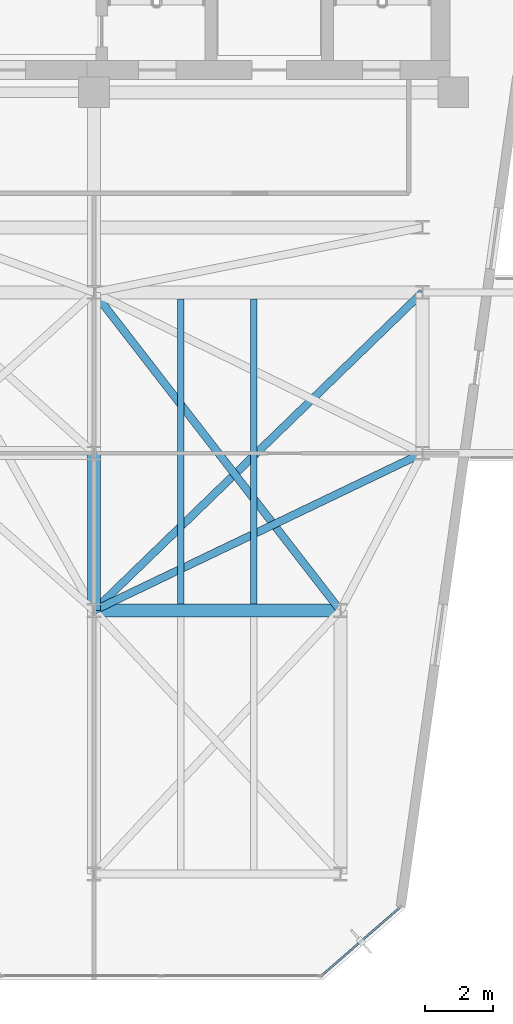
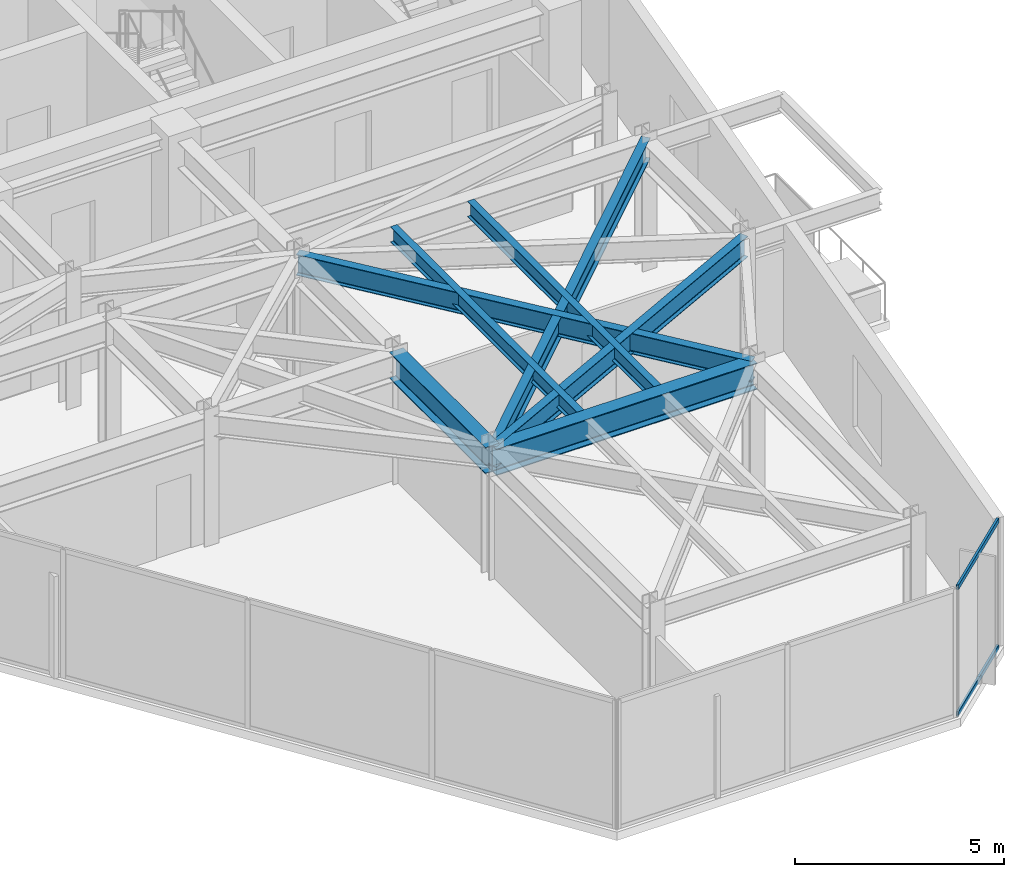
# One storey, part 19 of 26: 7 beams, 2 members, 1 element without a shape of its own.
"""IFC4 building model written with IfcOpenShell, lengths in metres."""

from ifc_helpers import new_model, si_unit, direction, frame, origin, origin_2d, place, context, subcontext, project, spatial, hollow_rectangle, i_section, extrude, material, layer, layer_set, material_profile, profile_set, type_object, element, aggregate, save


model = new_model("IFC4")

# Units and contexts
model_context = context("Model", 3, precision=1e-05, world=origin(), true_north=direction((0.0, 1.0)))
body_context = subcontext(model_context, "Body", "Model", "MODEL_VIEW")
ifc_project = project(units=[si_unit("LENGTHUNIT", "METRE"), si_unit("AREAUNIT", "SQUARE_METRE"), si_unit("VOLUMEUNIT", "CUBIC_METRE"), si_unit("PLANEANGLEUNIT", "RADIAN"), si_unit("MASSUNIT", "GRAM", prefix="KILO")], contexts=[model_context])

# Site, building, storey
site_placement = place(None, origin())
site = spatial("IfcSite", under=ifc_project, at=site_placement, CompositionType="ELEMENT")
building_placement = place(site_placement, origin())
building = spatial("IfcBuilding", under=site, at=building_placement, Name="Kravanh Interchange Tower", CompositionType="ELEMENT")
storey_placement = place(building_placement, frame((0.0, 0.0, 204.5)))
storey = spatial("IfcBuildingStorey", under=building, at=storey_placement, Name="L49", CompositionType="ELEMENT", Elevation=204.5)

# Curtain wall, members
ifc_material_1 = material(Name="Anodised Bronze Aluminium", Category="aluminium")
ifc_layer = layer(ifc_material_1, 0.179931640625)
ifc_layer_set = layer_set([ifc_layer], Name="Unitised Curtain Wall System CW-Z3 Upper Office")
curtain_wall_type = type_object("IfcCurtainWallType", Name="Unitised Curtain Wall System CW-Z3 Upper Office", PredefinedType="NOTDEFINED", material=ifc_layer_set)
curtain_wall_placement = place(storey_placement, origin())
curtain_wall = element("IfcCurtainWall", 1, at=curtain_wall_placement, inside=storey, type_object=curtain_wall_type, Name="L49 Unitised Curtain Wall CW-L49-02", PredefinedType="NOTDEFINED")
ifc_material_2 = material(Name="Anodised Bronze Aluminium", Category="aluminium")
ifc_material_profile_1 = material_profile(ifc_material_2, hollow_rectangle(XDim=0.06005859375, YDim=0.139892578125, WallThickness=0.00390625, at=origin_2d()), Name="ALU60X140X4")
ifc_profile_set_1 = profile_set([ifc_material_profile_1], Name="Anodised Bronze Aluminium")
member_type = type_object("IfcMemberType", Name="Curtain Wall Transom ALU60X140X4 Bronze", PredefinedType="USERDEFINED", material=ifc_profile_set_1)
member_1_placement = place(storey_placement, frame((64.92041015625, 13.501220703125, 0.030029296875), z_axis=(-0.754744002238, -0.656019428893, 0.0), x_axis=(0.656019428893, -0.754744002238, 0.0)))
member_1 = element("IfcMember", 2, at=member_1_placement, type_object=member_type, Name="CW-Z3 transom 1.1", ObjectType="TRANSOM", PredefinedType="USERDEFINED", context=body_context, shape_type="SweptSolid", body=[
    extrude(hollow_rectangle(XDim=0.06005859375, YDim=0.139892578125, WallThickness=0.00390625, at=origin_2d()), origin(), (0.0, 0.0, 1.0), 2.960205078125),
])
member_2_placement = place(storey_placement, frame((64.92041015625, 13.501220703125, 3.72509765625), z_axis=(-0.754744002238, -0.656019428893, 0.0), x_axis=(0.656019428893, -0.754744002238, 0.0)))
member_2 = element("IfcMember", 3, at=member_2_placement, type_object=member_type, Name="CW-Z3 transom 1.2", ObjectType="TRANSOM", PredefinedType="USERDEFINED", context=body_context, shape_type="SweptSolid", body=[
    extrude(hollow_rectangle(XDim=0.06005859375, YDim=0.139892578125, WallThickness=0.00390625, at=origin_2d()), origin(), (0.0, 0.0, 1.0), 2.960205078125),
])
aggregate(curtain_wall, [member_1, member_2])

# Beams
ifc_material_3 = material(Name="Structural Steel S355", Category="steel")
ifc_material_profile_2 = material_profile(ifc_material_3, i_section(OverallWidth=0.381103515625, OverallDepth=0.77294921875, WebThickness=0.0166015625, FlangeThickness=0.027099609375, FilletRadius=0.02490234375, at=origin_2d()), Name="W30X173")
ifc_profile_set_2 = profile_set([ifc_material_profile_2], Name="Structural Steel S355")
beam_type_1 = type_object("IfcBeamType", Name="Floor Beam W30X173 Structural Steel S355", PredefinedType="BEAM", material=ifc_profile_set_2)
beam_1_placement = place(storey_placement, frame((56.0, 26.800048828125, 3.368408203125), z_axis=(0.0, -1.0, 0.0), x_axis=(1.0, 0.0, 0.0)))
element("IfcBeam", 4, at=beam_1_placement, inside=storey, type_object=beam_type_1, Name="L49 Primary Floor Girder 53", PredefinedType="BEAM", context=body_context, shape_type="SweptSolid", body=[
    extrude(i_section(OverallWidth=0.381103515625, OverallDepth=0.77294921875, WebThickness=0.0166015625, FlangeThickness=0.027099609375, FilletRadius=0.02490234375, at=origin_2d()), origin(), (0.0, 0.0, 1.0), 4.60009765625),
])
beam_2_placement = place(storey_placement, frame((56.0, 22.199951171875, 3.368408203125), z_axis=(1.0, 0.0, 0.0), x_axis=(0.0, 1.0, 0.0)))
element("IfcBeam", 5, at=beam_2_placement, inside=storey, type_object=beam_type_1, Name="L49 Primary Floor Girder 92", PredefinedType="BEAM", context=body_context, shape_type="SweptSolid", body=[
    extrude(i_section(OverallWidth=0.381103515625, OverallDepth=0.77294921875, WebThickness=0.0166015625, FlangeThickness=0.027099609375, FilletRadius=0.02490234375, at=origin_2d()), origin(), (0.0, 0.0, 1.0), 7.199951171875),
])
ifc_material_4 = material(Name="Structural Steel S355", Category="steel")
ifc_material_profile_3 = material_profile(ifc_material_4, i_section(OverallWidth=0.18994140625, OverallDepth=0.45703125, WebThickness=0.009033203125, FlangeThickness=0.014404296875, FilletRadius=0.01806640625, at=origin_2d()), Name="W18X50")
ifc_profile_set_3 = profile_set([ifc_material_profile_3], Name="Structural Steel S355")
beam_type_2 = type_object("IfcBeamType", Name="Floor Joist W18X50 Structural Steel S355", PredefinedType="JOIST", material=ifc_profile_set_3)
for number, where, z_axis, x_axis, name in (
    (6, (58.5380859375, 22.385498046875, 3.526611328125), (0.0, 1.0, 0.0), (-1.0, 0.0, 0.0), "L49 Secondary Floor Joist 7"),
    (7, (60.662109375, 22.385498046875, 3.526611328125), (0.0, 1.0, 0.0), (-1.0, 0.0, 0.0), "L49 Secondary Floor Joist 8"),
):
    element("IfcBeam", number, at=place(storey_placement, frame(where, z_axis=z_axis, x_axis=x_axis)), inside=storey, type_object=beam_type_2, Name=name, PredefinedType="JOIST", context=body_context, shape_type="SweptSolid", body=[
        extrude(i_section(OverallWidth=0.18994140625, OverallDepth=0.45703125, WebThickness=0.009033203125, FlangeThickness=0.014404296875, FilletRadius=0.01806640625, at=origin_2d()), origin(), (0.0, 0.0, 1.0), 8.928955078125),
    ])
ifc_material_5 = material(Name="Structural Steel S355", Category="steel")
ifc_material_profile_4 = material_profile(ifc_material_5, i_section(OverallWidth=0.22802734375, OverallDepth=0.60791015625, WebThickness=0.01123046875, FlangeThickness=0.017333984375, FilletRadius=0.02197265625, at=origin_2d()), Name="W24X76")
ifc_profile_set_4 = profile_set([ifc_material_profile_4], Name="Structural Steel S355")
beam_type_3 = type_object("IfcBeamType", Name="Floor Spandrel W24X76 Structural Steel S355", PredefinedType="SPANDREL", material=ifc_profile_set_4)
beam_3_placement = place(storey_placement, frame((65.60009765625, 26.800048828125, 3.450927734375), z_axis=(-0.901814166789, -0.432124066188, 0.0), x_axis=(0.432124066188, -0.901814166789, 0.0)))
element("IfcBeam", 8, at=beam_3_placement, inside=storey, type_object=beam_type_3, Name="L49 Perimeter Spandrel 59", PredefinedType="SPANDREL", context=body_context, shape_type="SweptSolid", body=[
    extrude(i_section(OverallWidth=0.22802734375, OverallDepth=0.60791015625, WebThickness=0.01123046875, FlangeThickness=0.017333984375, FilletRadius=0.02197265625, at=origin_2d()), origin(), (0.0, 0.0, 1.0), 10.645263671875),
])
beam_4_placement = place(storey_placement, frame((56.0, 31.5, 3.450927734375), z_axis=(0.612168587637, -0.790727273028, 0.0), x_axis=(0.790727273028, 0.612168587637, 0.0)))
element("IfcBeam", 9, at=beam_4_placement, inside=storey, type_object=beam_type_3, Name="L49 Perimeter Spandrel 83", PredefinedType="SPANDREL", context=body_context, shape_type="SweptSolid", body=[
    extrude(i_section(OverallWidth=0.22802734375, OverallDepth=0.60791015625, WebThickness=0.01123046875, FlangeThickness=0.017333984375, FilletRadius=0.02197265625, at=origin_2d()), origin(), (0.0, 0.0, 1.0), 11.761474609375),
])
beam_5_placement = place(storey_placement, frame((65.60009765625, 31.5, 3.450927734375), z_axis=(-0.718241934329, -0.695793449072, 0.0), x_axis=(0.695793449072, -0.718241934329, 0.0)))
element("IfcBeam", 10, at=beam_5_placement, inside=storey, type_object=beam_type_3, Name="L49 Perimeter Spandrel 85", PredefinedType="SPANDREL", context=body_context, shape_type="SweptSolid", body=[
    extrude(i_section(OverallWidth=0.22802734375, OverallDepth=0.60791015625, WebThickness=0.01123046875, FlangeThickness=0.017333984375, FilletRadius=0.02197265625, at=origin_2d()), origin(), (0.0, 0.0, 1.0), 13.3662109375),
])

save(model, "model.ifc")
